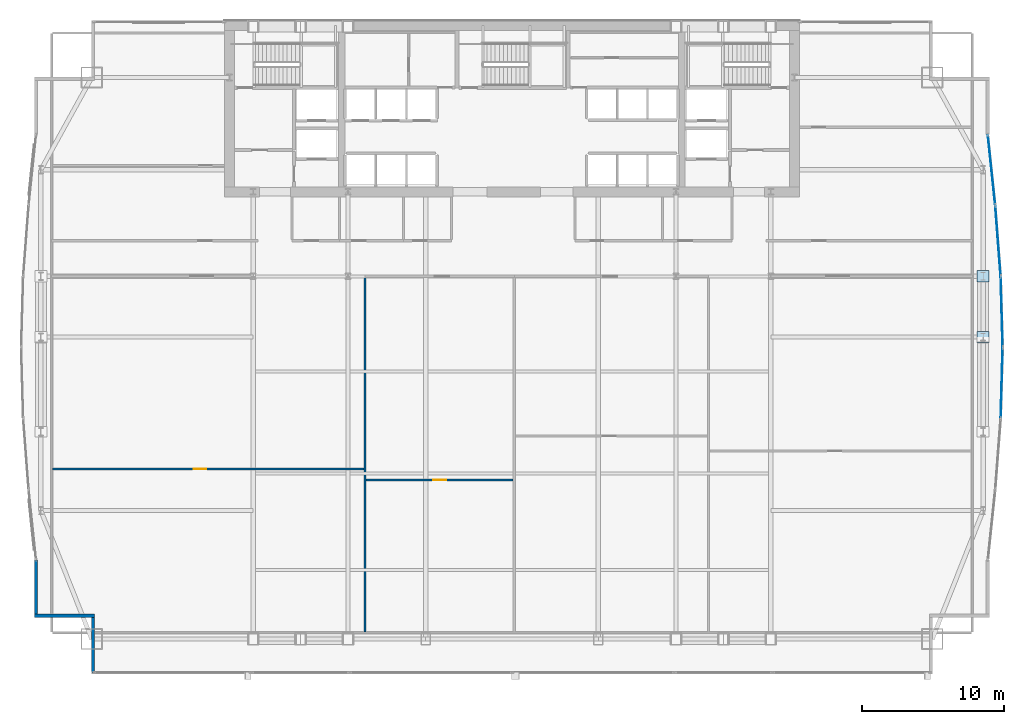
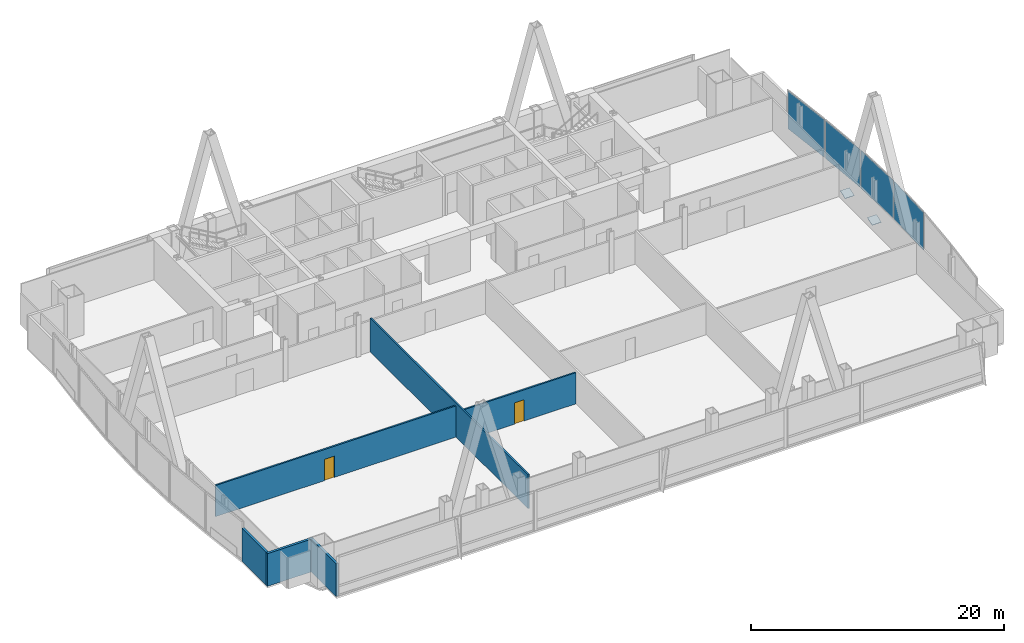
# One storey, part 27 of 32: 6 plates, 6 walls, 2 doors, 2 openings, 4 elements without a shape of their own.
"""IFC4 building model written with IfcOpenShell, lengths in metres."""

from ifc_helpers import new_model, si_unit, direction, frame, frame_2d, origin, origin_2d, place, context, subcontext, project, spatial, polyline, rectangle, outline, extrude, material, layer, layer_set, type_object, element, fill, aggregate, save


model = new_model("IFC4")

# Units and contexts
model_context = context("Model", 3, precision=1e-05, world=origin(), true_north=direction((0.0, 1.0)))
body_context = subcontext(model_context, "Body", "Model", "MODEL_VIEW")
ifc_project = project(units=[si_unit("LENGTHUNIT", "METRE"), si_unit("AREAUNIT", "SQUARE_METRE"), si_unit("VOLUMEUNIT", "CUBIC_METRE"), si_unit("PLANEANGLEUNIT", "RADIAN"), si_unit("MASSUNIT", "GRAM", prefix="KILO")], contexts=[model_context])

# Site, building, storey
site_placement = place(None, origin())
site = spatial("IfcSite", under=ifc_project, at=site_placement, CompositionType="ELEMENT")
building_placement = place(site_placement, origin())
building = spatial("IfcBuilding", under=site, at=building_placement, Name="Khoronbel Lancet Exchange", CompositionType="ELEMENT")
storey_placement = place(building_placement, frame((0.0, 0.0, 94.60009765625)))
storey = spatial("IfcBuildingStorey", under=building, at=storey_placement, Name="L22", CompositionType="ELEMENT", Elevation=94.60009765625)

# Curtain wall, plate
ifc_material_1 = material(Name="Low-E Solar Control Insulating Glass", Category="glass")
curtain_wall_type = type_object("IfcCurtainWallType", Name="CW-4", PredefinedType="NOTDEFINED", material=ifc_material_1)
curtain_wall_1_placement = place(storey_placement, origin())
curtain_wall_1 = element("IfcCurtainWall", 1, at=curtain_wall_1_placement, inside=storey, type_object=curtain_wall_type, Name="Unitised curtain wall CW-L22-E18", PredefinedType="NOTDEFINED")
ifc_material_2 = material(Name="Bronze-Anodised Aluminium 6063-T6", Category="aluminium")
ifc_layer_1 = layer(ifc_material_2, 0.050048828125, Name="Bronze-Anodised Aluminium 6063-T6")
ifc_layer_set_1 = layer_set([ifc_layer_1], Name="Bronze-Anodised Aluminium 6063-T6")
plate_type_1 = type_object("IfcPlateType", Name="PLT-CSP1", PredefinedType="SHEET", material=ifc_layer_set_1)
plate_1_placement = place(storey_placement, frame((70.677490234375, 38.193603515625, 0.0849609375), z_axis=(0.0, 0.0, 1.0), x_axis=(0.076626304874, -0.997059882555, 0.0)))
plate_1 = element("IfcPlate", 2, at=plate_1_placement, type_object=plate_type_1, Name="CW4 panel 1.1", PredefinedType="CURTAIN_PANEL", context=body_context, shape_type="SweptSolid", body=[
    extrude(rectangle(XDim=4.861328125, YDim=0.0380859375, at=origin_2d()), origin(), (0.0, 0.0, 1.0), 3.64990234375),
])
aggregate(curtain_wall_1, [plate_1])

curtain_wall_2_placement = place(storey_placement, origin())
curtain_wall_2 = element("IfcCurtainWall", 3, at=curtain_wall_2_placement, inside=storey, type_object=curtain_wall_type, Name="Unitised curtain wall CW-L22-E19", PredefinedType="NOTDEFINED")
plate_2_placement = place(storey_placement, frame((70.939697265625, 33.19775390625, 0.0849609375), z_axis=(0.0, 0.0, 1.0), x_axis=(0.028135315146, -0.999604123662, 0.0)))
plate_2 = element("IfcPlate", 4, at=plate_2_placement, type_object=plate_type_1, Name="CW4 panel 1.1", PredefinedType="CURTAIN_PANEL", context=body_context, shape_type="SweptSolid", body=[
    extrude(rectangle(XDim=4.84716796875, YDim=0.0380859375, at=origin_2d()), origin(), (0.0, 0.0, 1.0), 3.64990234375),
])
aggregate(curtain_wall_2, [plate_2])

curtain_wall_3_placement = place(storey_placement, origin())
curtain_wall_3 = element("IfcCurtainWall", 5, at=curtain_wall_3_placement, inside=storey, type_object=curtain_wall_type, Name="Unitised curtain wall CW-L22-E20", PredefinedType="NOTDEFINED")
plate_3_placement = place(storey_placement, frame((70.939697265625, 28.202392578125, 0.0849609375), z_axis=(0.0, 0.0, 1.0), x_axis=(-0.028135315146, -0.999604123662, 0.0)))
plate_3 = element("IfcPlate", 6, at=plate_3_placement, type_object=plate_type_1, Name="CW4 panel 1.1", PredefinedType="CURTAIN_PANEL", context=body_context, shape_type="SweptSolid", body=[
    extrude(rectangle(XDim=4.84716796875, YDim=0.0380859375, at=origin_2d()), origin(), (0.0, 0.0, 1.0), 3.64990234375),
])
aggregate(curtain_wall_3, [plate_3])

curtain_wall_4_placement = place(storey_placement, origin())
curtain_wall_4 = element("IfcCurtainWall", 7, at=curtain_wall_4_placement, inside=storey, type_object=curtain_wall_type, Name="Unitised curtain wall CW-L22-E17", PredefinedType="NOTDEFINED")
ifc_material_3 = material(Name="Ceramic-Fritted Laminated Insulating Glass", Category="glass")
ifc_layer_2 = layer(ifc_material_3, 0.0419921875, Name="Ceramic-Fritted Laminated Insulating Glass")
ifc_layer_set_2 = layer_set([ifc_layer_2], Name="Ceramic-Fritted Laminated Insulating Glass")
plate_type_2 = type_object("IfcPlateType", Name="PLT-CWP2", PredefinedType="CURTAIN_PANEL", material=ifc_layer_set_2)
plate_4_placement = place(storey_placement, frame((70.22265625, 43.193603515625, 0.0849609375), z_axis=(0.0, 0.0, 1.0), x_axis=(0.104434383958, -0.994531779003, 0.0)))
plate_4 = element("IfcPlate", 8, at=plate_4_placement, type_object=plate_type_2, Name="CW4 panel 1.1", PredefinedType="CURTAIN_PANEL", context=body_context, shape_type="SweptSolid", body=[
    extrude(rectangle(XDim=4.880859375, YDim=0.0380859375, at=origin_2d()), origin(), (0.0, 0.0, 1.0), 3.64990234375),
])
aggregate(curtain_wall_4, [plate_4])

# Plates
ifc_material_4 = material(Name="Steel S460", Category="steel")
ifc_layer_3 = layer(ifc_material_4, 0.044921875, Name="Steel S460")
ifc_layer_set_3 = layer_set([ifc_layer_3], Name="Steel S460")
plate_type_3 = type_object("IfcPlateType", Name="PLT-ECP1", PredefinedType="USERDEFINED", material=ifc_layer_set_3)
plate_5_placement = place(storey_placement, frame((69.2099609375, 31.01611328125, -0.101806640625), z_axis=(0.0, -0.316750792652, 0.948508795612), x_axis=(1.0, 0.0, 0.0)))
element("IfcPlate", 9, at=plate_5_placement, inside=storey, type_object=plate_type_3, Name="Hollow end cap plate PLT-CAP-MEM-MB-T06-E-P-R-1", ObjectType="STIFFENER_PLATE", PredefinedType="USERDEFINED", context=body_context, shape_type="SweptSolid", body=[
    extrude(outline(polyline([(0.0, 0.0), (0.840087890625, 0.0), (0.840087890625, 0.840087890625), (0.0, 0.840087890625), (0.0, 0.0)])), origin(), (0.0, 0.0, -1.0), 0.044921875),
])
plate_6_placement = place(storey_placement, frame((69.2099609375, 35.30029296875, -0.129638671875), z_axis=(0.0, -0.335433979759, 0.942063716116), x_axis=(1.0, 0.0, 0.0)))
element("IfcPlate", 10, at=plate_6_placement, inside=storey, type_object=plate_type_3, Name="Hollow end cap plate PLT-CAP-MEM-MB-T07-E-P-R-0", ObjectType="STIFFENER_PLATE", PredefinedType="USERDEFINED", context=body_context, shape_type="SweptSolid", body=[
    extrude(outline(polyline([(0.0, 0.0), (0.840087890625, 0.0), (0.840087890625, 0.83984375), (0.0, 0.83984375), (0.0, 0.0)])), origin(), (0.0, 0.0, -1.0), 0.044921875),
])

# Walls
ifc_material_5 = material(Name="Precast concrete C40/50", Category="concrete")
ifc_layer_4 = layer(ifc_material_5, 0.25, Name="Precast concrete C40/50")
ifc_layer_set_4 = layer_set([ifc_layer_4], Name="Precast concrete C40/50")
wall_type_1 = type_object("IfcWallType", Name="WL-EXT250", PredefinedType="SOLIDWALL", material=ifc_layer_set_4)
wall_1_placement = place(storey_placement, frame((6.93994140625, 7.77001953125, 0.0), z_axis=(0.0, 0.0, 1.0), x_axis=(0.0, 1.0, 0.0)))
element("IfcWall", 11, at=wall_1_placement, inside=storey, type_object=wall_type_1, Name="Level L22 notched-corner limestone pier 01", PredefinedType="SOLIDWALL", context=body_context, shape_type="SweptSolid", body=[
    extrude(rectangle(XDim=3.909912109375, YDim=0.219970703125, at=frame_2d((1.955078125, 0.0))), origin(), (0.0, 0.0, 1.0), 3.159912109375),
])
wall_2_placement = place(storey_placement, frame((7.050048828125, 11.7900390625, 0.0), z_axis=(0.0, 0.0, 1.0), x_axis=(-1.0, 0.0, 0.0)))
element("IfcWall", 12, at=wall_2_placement, inside=storey, type_object=wall_type_1, Name="Level L22 notched-corner limestone pier 02", PredefinedType="SOLIDWALL", context=body_context, shape_type="SweptSolid", body=[
    extrude(rectangle(XDim=4.219970703125, YDim=0.219970703125, at=frame_2d((2.10986328125, 0.0))), origin(), (0.0, 0.0, 1.0), 3.159912109375),
])
wall_3_placement = place(storey_placement, frame((2.93994140625, 11.89990234375, 0.0), z_axis=(0.0, 0.0, 1.0), x_axis=(0.0, 1.0, 0.0)))
element("IfcWall", 13, at=wall_3_placement, inside=storey, type_object=wall_type_1, Name="Level L22 notched-corner limestone pier 03", PredefinedType="SOLIDWALL", context=body_context, shape_type="SweptSolid", body=[
    extrude(rectangle(XDim=3.82470703125, YDim=0.219970703125, at=frame_2d((1.912353515625, 0.0))), origin(), (0.0, 0.0, 1.0), 3.159912109375),
])

# Wall, opening, door
ifc_material_6 = material(Name="Acoustic Metal-Stud & Mineral-Wool Gypsum Partition 120 mm", Category="gypsum")
ifc_layer_5 = layer(ifc_material_6, 0.1201171875, Name="Acoustic Metal-Stud & Mineral-Wool Gypsum Partition 120 mm")
ifc_layer_set_5 = layer_set([ifc_layer_5], Name="Acoustic Metal-Stud & Mineral-Wool Gypsum Partition 120 mm")
wall_type_2 = type_object("IfcWallType", Name="WL-PRT120", PredefinedType="PARTITIONING", material=ifc_layer_set_5)
wall_4_placement = place(storey_placement, frame((4.094970703125, 22.121337890625, 0.0), z_axis=(0.0, 0.0, 1.0), x_axis=(1.0, 0.0, 0.0)))
wall_4 = element("IfcWall", 14, at=wall_4_placement, inside=storey, type_object=wall_type_2, Name="Level L22 interior partition PW-Z1S-H1", PredefinedType="PARTITIONING", context=body_context, shape_type="SweptSolid", body=[
    extrude(rectangle(XDim=21.92822265625, YDim=0.14990234375, at=frame_2d((10.964111328125, 0.0))), origin(), (0.0, 0.0, 1.0), 3.010009765625),
])
opening_1_placement = place(wall_4_placement, frame((9.932861328125, 0.0, 0.0)))
opening_1 = element("IfcOpeningElement", 15, at=opening_1_placement, cuts=wall_4, Name="Opening D5", PredefinedType="OPENING", context=body_context, shape_type="SweptSolid", body=[
    extrude(rectangle(XDim=0.89990234375, YDim=2.050048828125, at=frame_2d((0.449951171875, 1.02490234375))), frame((0.0, 0.0849609375, 0.0), z_axis=(0.0, -1.0, 0.0), x_axis=(1.0, 0.0, 0.0)), (0.0, 0.0, 1.0), 0.169921875),
])
ifc_material_7 = material(Name="Acoustic Timber Pantry & Support Door", Category="wood")
door_type = type_object("IfcDoorType", Name="DR-D5", OperationType="NOTDEFINED", PredefinedType="DOOR", material=ifc_material_7)
door_1_placement = place(opening_1_placement, origin())
door_1 = element("IfcDoor", 16, at=door_1_placement, inside=storey, type_object=door_type, Name="Z1S inner door 1 L22-1", OperationType="SINGLE_SWING_RIGHT", OverallHeight=2.050048828125, OverallWidth=0.89990234375, PredefinedType="DOOR", context=body_context, shape_type="SweptSolid", body=[
    extrude(rectangle(XDim=0.89990234375, YDim=2.050048828125, at=frame_2d((0.449951171875, 1.02490234375))), frame((0.0, 0.02490234375, 0.0), z_axis=(0.0, -1.0, 0.0), x_axis=(1.0, 0.0, 0.0)), (0.0, 0.0, 1.0), 0.050048828125),
])
fill(opening_1, door_1)

wall_5_placement = place(storey_placement, frame((26.18310546875, 21.35400390625, 0.0), z_axis=(0.0, 0.0, 1.0), x_axis=(1.0, 0.0, 0.0)))
wall_5 = element("IfcWall", 17, at=wall_5_placement, inside=storey, type_object=wall_type_2, Name="Level L22 interior partition PW-Z1S-H2", PredefinedType="PARTITIONING", context=body_context, shape_type="SweptSolid", body=[
    extrude(rectangle(XDim=10.34619140625, YDim=0.14990234375, at=frame_2d((5.173095703125, 0.0))), origin(), (0.0, 0.0, 1.0), 3.010009765625),
])
opening_2_placement = place(wall_5_placement, frame((4.727783203125, 0.0, 0.0)))
opening_2 = element("IfcOpeningElement", 18, at=opening_2_placement, cuts=wall_5, Name="Opening D5", PredefinedType="OPENING", context=body_context, shape_type="SweptSolid", body=[
    extrude(rectangle(XDim=0.89990234375, YDim=2.050048828125, at=frame_2d((0.449951171875, 1.02490234375))), frame((0.0, 0.0849609375, 0.0), z_axis=(0.0, -1.0, 0.0), x_axis=(1.0, 0.0, 0.0)), (0.0, 0.0, 1.0), 0.169921875),
])
door_2_placement = place(opening_2_placement, origin())
door_2 = element("IfcDoor", 19, at=door_2_placement, inside=storey, type_object=door_type, Name="Z1S inner door 2 L22-1", OperationType="SINGLE_SWING_RIGHT", OverallHeight=2.050048828125, OverallWidth=0.89990234375, PredefinedType="DOOR", context=body_context, shape_type="SweptSolid", body=[
    extrude(rectangle(XDim=0.89990234375, YDim=2.050048828125, at=frame_2d((0.449951171875, 1.02490234375))), frame((0.0, 0.02490234375, 0.0), z_axis=(0.0, -1.0, 0.0), x_axis=(1.0, 0.0, 0.0)), (0.0, 0.0, 1.0), 0.050048828125),
])
fill(opening_2, door_2)

# Wall
ifc_material_8 = material(Name="Fire-Rated Twin-Stud Acoustic Gypsum Partition 150 mm", Category="gypsum")
ifc_layer_6 = layer(ifc_material_8, 0.14990234375, Name="Fire-Rated Twin-Stud Acoustic Gypsum Partition 150 mm")
ifc_layer_set_6 = layer_set([ifc_layer_6], Name="Fire-Rated Twin-Stud Acoustic Gypsum Partition 150 mm")
wall_type_3 = type_object("IfcWallType", Name="WL-PRT150C", PredefinedType="PARTITIONING", material=ifc_layer_set_6)
wall_6_placement = place(storey_placement, frame((26.103271484375, 10.6650390625, 0.0), z_axis=(0.0, 0.0, 1.0), x_axis=(0.0, 1.0, 0.0)))
element("IfcWall", 20, at=wall_6_placement, inside=storey, type_object=wall_type_3, Name="Level L22 interior partition PW-Z1S-V1", PredefinedType="PARTITIONING", context=body_context, shape_type="SweptSolid", body=[
    extrude(rectangle(XDim=24.949951171875, YDim=0.14990234375, at=frame_2d((12.47509765625, 0.0))), origin(), (0.0, 0.0, 1.0), 3.260009765625),
])

save(model, "model.ifc")
